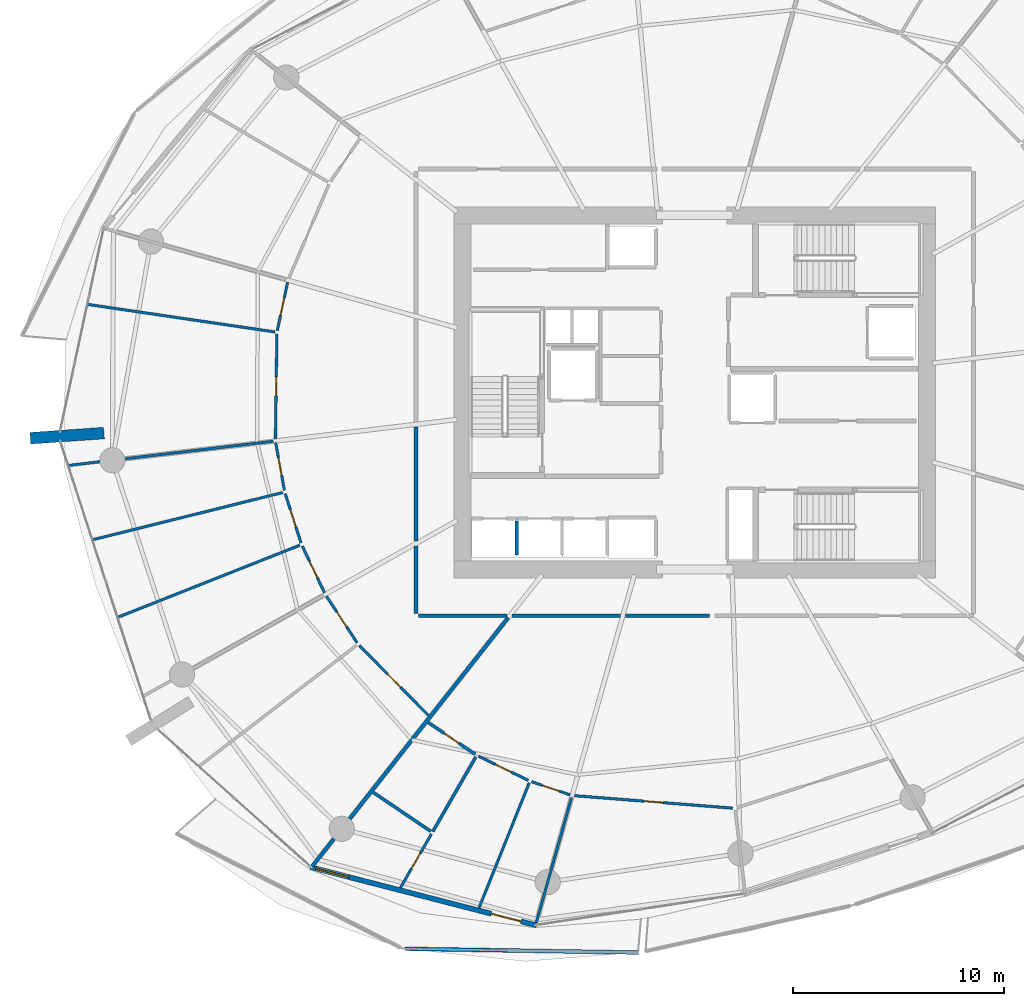
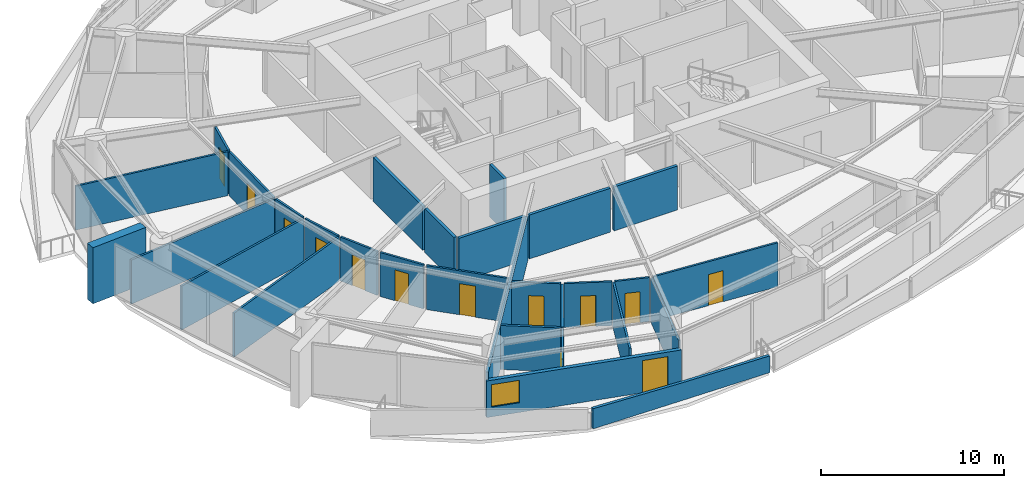
# One storey, part 11 of 22: 30 walls, 13 doors, 1 window, 14 openings.
"""IFC4 building model written with IfcOpenShell, lengths in metres."""

from ifc_helpers import new_model, si_unit, direction, frame, frame_2d, origin, place, context, subcontext, project, spatial, polyline, rectangle, outline, extrude, material, layer, layer_set, type_object, element, fill, save


model = new_model("IFC4")

# Units and contexts
model_context = context("Model", 3, precision=1e-05, world=origin(), true_north=direction((0.0, 1.0)))
body_context = subcontext(model_context, "Body", "Model", "MODEL_VIEW")
ifc_project = project(units=[si_unit("LENGTHUNIT", "METRE"), si_unit("AREAUNIT", "SQUARE_METRE"), si_unit("VOLUMEUNIT", "CUBIC_METRE"), si_unit("PLANEANGLEUNIT", "RADIAN"), si_unit("MASSUNIT", "GRAM", prefix="KILO")], contexts=[model_context])

# Site, building, storey
site_placement = place(None, origin())
site = spatial("IfcSite", under=ifc_project, at=site_placement, CompositionType="ELEMENT")
building_placement = place(site_placement, origin())
building = spatial("IfcBuilding", under=site, at=building_placement, Name="Kazma Halo Residences", CompositionType="ELEMENT")
storey_placement = place(building_placement, frame((0.0, 0.0, 93.89990234375)))
storey = spatial("IfcBuildingStorey", under=building, at=storey_placement, Name="L23", CompositionType="ELEMENT", Elevation=93.89990234375)

# Walls
ifc_material_1 = material(Name="White Concrete C50/60 Balustrade", Category="concrete")
ifc_layer_1 = layer(ifc_material_1, 0.179931640625)
ifc_layer_set_1 = layer_set([ifc_layer_1], Name="White Concrete C50/60 Balustrade")
wall_type_1 = type_object("IfcWallType", Name="WL-BAL-WAVE-180", PredefinedType="PARAPET", material=ifc_layer_set_1)
wall_1_placement = place(storey_placement, frame((34.671142578125, 15.60302734375, 0.0), z_axis=(0.0, 0.0, 1.0), x_axis=(0.999868376908, -0.016224329234, 0.0)))
element("IfcWall", 1, at=wall_1_placement, inside=storey, type_object=wall_type_1, Name="L23 white wave balustrade wall SW.2", PredefinedType="PARAPET", context=body_context, shape_type="SweptSolid", body=[
    extrude(outline(polyline([(0.0, 0.0), (11.0751953125, 0.0), (11.0751953125, 1.1201171875), (5.53759765625, 1.18212890625), (0.0, 1.34814453125), (0.0, 0.0)])), frame((0.0, 0.08984375, 0.0), z_axis=(0.0, -1.0, 0.0), x_axis=(1.0, 0.0, 0.0)), (0.0, 0.0, 1.0), 0.179931640625),
])
ifc_material_2 = material(Name="Pale Concrete C60/75", Category="concrete")
ifc_layer_2 = layer(ifc_material_2, 0.550048828125)
ifc_layer_set_2 = layer_set([ifc_layer_2], Name="Pale Concrete C60/75")
wall_type_2 = type_object("IfcWallType", Name="WL-BLADE-550", PredefinedType="SOLIDWALL", material=ifc_layer_set_2)
wall_2_placement = place(storey_placement, frame((20.393798828125, 40.069580078125, 0.0), z_axis=(0.0, 0.0, 1.0), x_axis=(-0.997564163539, -0.069754853754, 0.0)))
element("IfcWall", 2, at=wall_2_placement, inside=storey, type_object=wall_type_2, Name="L23 pale concrete structural blade fin wall BW-02", PredefinedType="SOLIDWALL", context=body_context, shape_type="SweptSolid", body=[
    extrude(rectangle(XDim=3.5, YDim=0.550048828125, at=frame_2d((1.75, 0.0))), origin(), (0.0, 0.0, 1.0), 3.75),
])
ifc_material_3 = material(Name="Acoustic Twin-Stud Gypsum")
ifc_layer_3 = layer(ifc_material_3, 0.179931640625)
ifc_layer_set_3 = layer_set([ifc_layer_3], Name="Acoustic Twin-Stud Gypsum")
wall_type_3 = type_object("IfcWallType", Name="WL-DEM-180", PredefinedType="PARTITIONING", material=ifc_layer_set_3)
wall_3_placement = place(storey_placement, frame((39.575439453125, 31.313720703125, 0.0), z_axis=(0.0, 0.0, 1.0), x_axis=(-0.619083417853, -0.785325233098, 0.0)))
element("IfcWall", 3, at=wall_3_placement, inside=storey, type_object=wall_type_3, Name="L23 apartment demising radial wall 09", PredefinedType="PARTITIONING", context=body_context, shape_type="SweptSolid", body=[
    extrude(rectangle(XDim=15.063232421875, YDim=0.179931640625, at=frame_2d((7.53173828125, 0.0))), origin(), (0.0, 0.0, 1.0), 2.940185546875),
])
wall_4_placement = place(storey_placement, frame((35.199951171875, 40.364990234375, 0.0), z_axis=(0.0, 0.0, 1.0), x_axis=(0.0, -1.0, 0.0)))
element("IfcWall", 4, at=wall_4_placement, inside=storey, type_object=wall_type_3, Name="L23 Apartment 1 inner wall 7", PredefinedType="PARTITIONING", context=body_context, shape_type="SweptSolid", body=[
    extrude(rectangle(XDim=5.413330078125, YDim=0.179931640625, at=frame_2d((2.70654296875, 0.0))), origin(), (0.0, 0.0, 1.0), 2.940185546875),
])
wall_5_placement = place(storey_placement, frame((35.199951171875, 34.711669921875, 0.0), z_axis=(0.0, 0.0, 1.0), x_axis=(0.0, -1.0, 0.0)))
element("IfcWall", 5, at=wall_5_placement, inside=storey, type_object=wall_type_3, Name="L23 Apartment 1 inner wall 8", PredefinedType="PARTITIONING", context=body_context, shape_type="SweptSolid", body=[
    extrude(rectangle(XDim=3.191650390625, YDim=0.179931640625, at=frame_2d((1.595703125, 0.0))), origin(), (0.0, 0.0, 1.0), 2.940185546875),
])
wall_6_placement = place(storey_placement, frame((35.320068359375, 31.39990234375, 0.0), z_axis=(0.0, 0.0, 1.0), x_axis=(1.0, 0.0, 0.0)))
element("IfcWall", 6, at=wall_6_placement, inside=storey, type_object=wall_type_3, Name="L23 Apartment 1 inner wall 8", PredefinedType="PARTITIONING", context=body_context, shape_type="SweptSolid", body=[
    extrude(rectangle(XDim=4.20361328125, YDim=0.179931640625, at=frame_2d((2.101806640625, 0.0))), origin(), (0.0, 0.0, 1.0), 2.940185546875),
])
wall_7_placement = place(storey_placement, frame((39.763671875, 31.39990234375, 0.0), z_axis=(0.0, 0.0, 1.0), x_axis=(1.0, 0.0, 0.0)))
element("IfcWall", 7, at=wall_7_placement, inside=storey, type_object=wall_type_3, Name="L23 Apartment 2 inner wall 9", PredefinedType="PARTITIONING", context=body_context, shape_type="SweptSolid", body=[
    extrude(rectangle(XDim=5.126708984375, YDim=0.179931640625, at=frame_2d((2.5634765625, 0.0))), origin(), (0.0, 0.0, 1.0), 2.940185546875),
])
wall_8_placement = place(storey_placement, frame((45.130615234375, 31.39990234375, 0.0), z_axis=(0.0, 0.0, 1.0), x_axis=(1.0, 0.0, 0.0)))
element("IfcWall", 8, at=wall_8_placement, inside=storey, type_object=wall_type_3, Name="L23 Apartment 2 inner wall 10", PredefinedType="PARTITIONING", context=body_context, shape_type="SweptSolid", body=[
    extrude(rectangle(XDim=4.00390625, YDim=0.179931640625, at=frame_2d((2.001953125, 0.0))), origin(), (0.0, 0.0, 1.0), 2.940185546875),
])

# Wall, openings, door, window
ifc_material_4 = material(Name="Insulated Pale-Metal Composite Wall")
ifc_layer_4 = layer(ifc_material_4, 0.239990234375)
ifc_layer_set_4 = layer_set([ifc_layer_4], Name="Insulated Pale-Metal Composite Wall")
wall_type_4 = type_object("IfcWallType", Name="WL-EXT-HOST-240", PredefinedType="SOLIDWALL", material=ifc_layer_set_4)
wall_9_placement = place(storey_placement, frame((30.18603515625, 19.47705078125, 0.0), z_axis=(0.0, 0.0, 1.0), x_axis=(0.968356180858, -0.249572248045, 0.0)))
wall_9 = element("IfcWall", 9, at=wall_9_placement, inside=storey, type_object=wall_type_4, Name="L23 exterior terrace-access wall B10", PredefinedType="SOLIDWALL", context=body_context, shape_type="SweptSolid", body=[
    extrude(rectangle(XDim=11.08447265625, YDim=0.239990234375, at=frame_2d((5.542236328125, 0.0))), origin(), (0.0, 0.0, 1.0), 2.4501953125),
])
opening_1_placement = place(wall_9_placement, frame((8.864501953125, 0.0, 0.0)))
opening_1 = element("IfcOpeningElement", 10, at=opening_1_placement, cuts=wall_9, Name="Opening DTR-1600", PredefinedType="OPENING", context=body_context, shape_type="SweptSolid", body=[
    extrude(rectangle(XDim=1.449951171875, YDim=2.14990234375, at=frame_2d((0.72509765625, 1.074951171875))), frame((0.0, 0.1298828125, 0.0), z_axis=(0.0, -1.0, 0.0), x_axis=(1.0, 0.0, 0.0)), (0.0, 0.0, 1.0), 0.260009765625),
])
opening_2_placement = place(wall_9_placement, frame((0.280029296875, 0.0, 0.64990234375)))
opening_2 = element("IfcOpeningElement", 11, at=opening_2_placement, cuts=wall_9, Name="Opening W-1800", PredefinedType="OPENING", context=body_context, shape_type="SweptSolid", body=[
    extrude(rectangle(XDim=1.60009765625, YDim=1.5, at=frame_2d((0.800048828125, 0.75))), frame((0.0, 0.1298828125, 0.0), z_axis=(0.0, -1.0, 0.0), x_axis=(1.0, 0.0, 0.0)), (0.0, 0.0, 1.0), 0.260009765625),
])
ifc_material_5 = material(Name="Aluminium AW-6063 T6 Double-Glazed Terrace Door", Category="aluminium")
door_type_1 = type_object("IfcDoorType", Name="DR-EXT-TERR-1600", OperationType="NOTDEFINED", PredefinedType="DOOR", material=ifc_material_5)
door_1_placement = place(opening_1_placement, origin())
door_1 = element("IfcDoor", 12, at=door_1_placement, inside=storey, type_object=door_type_1, Name="L23 B10 balcony terrace door", OperationType="DOUBLE_DOOR_SLIDING", OverallHeight=2.14990234375, OverallWidth=1.449951171875, PredefinedType="DOOR", context=body_context, shape_type="SweptSolid", body=[
    extrude(rectangle(XDim=1.449951171875, YDim=2.14990234375, at=frame_2d((0.72509765625, 1.074951171875))), frame((0.0, 0.02490234375, 0.0), z_axis=(0.0, -1.0, 0.0), x_axis=(1.0, 0.0, 0.0)), (0.0, 0.0, 1.0), 0.050048828125),
])
fill(opening_1, door_1)
ifc_material_6 = material(Name="Clear Triple-Silver Low-E Glass in Aluminium AW-6063 T6 Frame", Category="aluminium")
window_type = type_object("IfcWindowType", Name="WIN-RES-1800", PartitioningType="DOUBLE_PANEL_VERTICAL", PredefinedType="WINDOW", material=ifc_material_6)
window_placement = place(opening_2_placement, origin())
window = element("IfcWindow", 13, at=window_placement, inside=storey, type_object=window_type, Name="L23 B10 apartment window", OverallHeight=1.5, OverallWidth=1.60009765625, PartitioningType="SINGLE_PANEL", PredefinedType="WINDOW", context=body_context, shape_type="SweptSolid", body=[
    extrude(rectangle(XDim=1.60009765625, YDim=1.5, at=frame_2d((0.800048828125, 0.75))), frame((0.0, 0.030029296875, 0.0), z_axis=(0.0, -1.0, 0.0), x_axis=(1.0, 0.0, 0.0)), (0.0, 0.0, 1.0), 0.06005859375),
])
fill(opening_2, window)

# Walls
ifc_material_7 = material(Name="Fire-Rated Blockwork Masonry", Category="masonry")
ifc_layer_5 = layer(ifc_material_7, 0.199951171875)
ifc_layer_set_5 = layer_set([ifc_layer_5], Name="Fire-Rated Blockwork Masonry")
wall_type_5 = type_object("IfcWallType", Name="WL-FLB-200", PredefinedType="PARTITIONING", material=ifc_layer_set_5)
wall_10_placement = place(storey_placement, frame((39.97509765625, 34.294921875, 0.0), z_axis=(0.0, 0.0, 1.0), x_axis=(0.0, 1.0, 0.0)))
element("IfcWall", 14, at=wall_10_placement, inside=storey, type_object=wall_type_5, Name="L23 lift shaft PL-01 side wall E", PredefinedType="PARTITIONING", context=body_context, shape_type="SweptSolid", body=[
    extrude(rectangle(XDim=1.610107421875, YDim=0.159912109375, at=frame_2d((0.80517578125, 0.0))), origin(), (0.0, 0.0, 1.0), 3.5),
])
ifc_material_8 = material(Name="Gypsum Plasterboard Partition")
ifc_layer_6 = layer(ifc_material_8, 0.125)
ifc_layer_set_6 = layer_set([ifc_layer_6], Name="Gypsum Plasterboard Partition")
wall_type_6 = type_object("IfcWallType", Name="WL-PART-125", PredefinedType="PARTITIONING", material=ifc_layer_set_6)
wall_11_placement = place(storey_placement, frame((28.510986328125, 44.867431640625, 0.0), z_axis=(0.0, 0.0, 1.0), x_axis=(-0.989349459184, 0.145559773332, 0.0)))
element("IfcWall", 15, at=wall_11_placement, inside=storey, type_object=wall_type_6, Name="L23 Apartment 1 mid-bay wall 6", PredefinedType="PARTITIONING", context=body_context, shape_type="SweptSolid", body=[
    extrude(rectangle(XDim=8.97509765625, YDim=0.125, at=frame_2d((4.487548828125, 0.0))), origin(), (0.0, 0.0, 1.0), 2.940185546875),
])

# Wall, opening, door
wall_12_placement = place(storey_placement, frame((29.106201171875, 47.224853515625, 0.0), z_axis=(0.0, 0.0, 1.0), x_axis=(-0.208839045871, -0.977950025778, 0.0)))
wall_12 = element("IfcWall", 16, at=wall_12_placement, inside=storey, type_object=wall_type_6, Name="L23 Apartment 1 South Wine Pantry Store hall wall", PredefinedType="PARTITIONING", context=body_context, shape_type="SweptSolid", body=[
    extrude(rectangle(XDim=2.343994140625, YDim=0.125, at=frame_2d((1.171875, 0.0))), origin(), (0.0, 0.0, 1.0), 2.940185546875),
])
opening_3_placement = place(wall_12_placement, frame((0.7470703125, 0.0, 0.0)))
opening_3 = element("IfcOpeningElement", 17, at=opening_3_placement, cuts=wall_12, Name="Opening DB-900", PredefinedType="OPENING", context=body_context, shape_type="SweptSolid", body=[
    extrude(rectangle(XDim=0.85009765625, YDim=2.06005859375, at=frame_2d((0.425048828125, 1.030029296875))), frame((0.0, 0.072509765625, 0.0), z_axis=(0.0, -1.0, 0.0), x_axis=(1.0, 0.0, 0.0)), (0.0, 0.0, 1.0), 0.14501953125),
])
ifc_material_9 = material(Name="Moisture-Sealed Timber Leaf", Category="wood")
door_type_2 = type_object("IfcDoorType", Name="DR-BTH-900", OperationType="NOTDEFINED", PredefinedType="DOOR", material=ifc_material_9)
door_2_placement = place(opening_3_placement, origin())
door_2 = element("IfcDoor", 18, at=door_2_placement, inside=storey, type_object=door_type_2, Name="L23 Apartment 1 South Wine Pantry Store door", OperationType="SINGLE_SWING_RIGHT", OverallHeight=2.06005859375, OverallWidth=0.85009765625, PredefinedType="DOOR", context=body_context, shape_type="SweptSolid", body=[
    extrude(rectangle(XDim=0.85009765625, YDim=2.06005859375, at=frame_2d((0.425048828125, 1.030029296875))), frame((0.0, 0.02490234375, 0.0), z_axis=(0.0, -1.0, 0.0), x_axis=(1.0, 0.0, 0.0)), (0.0, 0.0, 1.0), 0.050048828125),
])
fill(opening_3, door_2)

wall_13_placement = place(storey_placement, frame((28.598876953125, 44.7744140625, 0.0), z_axis=(0.0, 0.0, 1.0), x_axis=(-0.014168717323, -0.999899618687, 0.0)))
wall_13 = element("IfcWall", 19, at=wall_13_placement, inside=storey, type_object=wall_type_6, Name="L23 Apartment 1 Inner Formal Dining Room hall wall", PredefinedType="PARTITIONING", context=body_context, shape_type="SweptSolid", body=[
    extrude(rectangle(XDim=4.979736328125, YDim=0.125, at=frame_2d((2.48974609375, 0.0))), origin(), (0.0, 0.0, 1.0), 2.940185546875),
])
opening_4_placement = place(wall_13_placement, frame((2.039794921875, 0.0, 0.0)))
opening_4 = element("IfcOpeningElement", 20, at=opening_4_placement, cuts=wall_13, Name="Opening DI-950", PredefinedType="OPENING", context=body_context, shape_type="SweptSolid", body=[
    extrude(rectangle(XDim=0.89990234375, YDim=2.080078125, at=frame_2d((0.449951171875, 1.0400390625))), frame((0.0, 0.072509765625, 0.0), z_axis=(0.0, -1.0, 0.0), x_axis=(1.0, 0.0, 0.0)), (0.0, 0.0, 1.0), 0.14501953125),
])
ifc_material_10 = material(Name="Timber Veneer Flush Leaf", Category="wood")
door_type_3 = type_object("IfcDoorType", Name="DR-INT-950", OperationType="NOTDEFINED", PredefinedType="DOOR", material=ifc_material_10)
door_3_placement = place(opening_4_placement, origin())
door_3 = element("IfcDoor", 21, at=door_3_placement, inside=storey, type_object=door_type_3, Name="L23 Apartment 1 Inner Formal Dining Room door", OperationType="SINGLE_SWING_LEFT", OverallHeight=2.080078125, OverallWidth=0.89990234375, PredefinedType="DOOR", context=body_context, shape_type="SweptSolid", body=[
    extrude(rectangle(XDim=0.89990234375, YDim=2.080078125, at=frame_2d((0.449951171875, 1.0400390625))), frame((0.0, 0.02490234375, 0.0), z_axis=(0.0, -1.0, 0.0), x_axis=(1.0, 0.0, 0.0)), (0.0, 0.0, 1.0), 0.050048828125),
])
fill(opening_4, door_3)

# Walls
wall_14_placement = place(storey_placement, frame((28.427490234375, 39.683349609375, 0.0), z_axis=(0.0, 0.0, 1.0), x_axis=(-0.993070374036, -0.117521198991, 0.0)))
element("IfcWall", 22, at=wall_14_placement, inside=storey, type_object=wall_type_6, Name="L23 Apartment 1 radial partition 7", PredefinedType="PARTITIONING", context=body_context, shape_type="SweptSolid", body=[
    extrude(rectangle(XDim=9.77001953125, YDim=0.125, at=frame_2d((4.885009765625, 0.0))), origin(), (0.0, 0.0, 1.0), 2.940185546875),
])
wall_15_placement = place(storey_placement, frame((28.882080078125, 37.251220703125, 0.0), z_axis=(0.0, 0.0, 1.0), x_axis=(-0.970501778917, -0.241093959111, 0.0)))
element("IfcWall", 23, at=wall_15_placement, inside=storey, type_object=wall_type_6, Name="L23 Apartment 1 bay wall 1 7", PredefinedType="PARTITIONING", context=body_context, shape_type="SweptSolid", body=[
    extrude(rectangle(XDim=9.285888671875, YDim=0.125, at=frame_2d((4.64306640625, 0.0))), origin(), (0.0, 0.0, 1.0), 2.940185546875),
])
wall_16_placement = place(storey_placement, frame((29.684326171875, 34.748291015625, 0.0), z_axis=(0.0, 0.0, 1.0), x_axis=(-0.929782203012, -0.36811011255, 0.0)))
element("IfcWall", 24, at=wall_16_placement, inside=storey, type_object=wall_type_6, Name="L23 Apartment 1 bay wall 2 7", PredefinedType="PARTITIONING", context=body_context, shape_type="SweptSolid", body=[
    extrude(rectangle(XDim=9.2705078125, YDim=0.125, at=frame_2d((4.63525390625, 0.0))), origin(), (0.0, 0.0, 1.0), 2.940185546875),
])

# Wall, opening, door
wall_17_placement = place(storey_placement, frame((28.541259765625, 39.616455078125, 0.0), z_axis=(0.0, 0.0, 1.0), x_axis=(0.179631908925, -0.983733895571, 0.0)))
wall_17 = element("IfcWall", 25, at=wall_17_placement, inside=storey, type_object=wall_type_6, Name="L23 Apartment 1 Outer Bedroom hall wall", PredefinedType="PARTITIONING", context=body_context, shape_type="SweptSolid", body=[
    extrude(rectangle(XDim=2.30224609375, YDim=0.125, at=frame_2d((1.151123046875, 0.0))), origin(), (0.0, 0.0, 1.0), 2.940185546875),
])
opening_5_placement = place(wall_17_placement, frame((0.726318359375, 0.0, 0.0)))
opening_5 = element("IfcOpeningElement", 26, at=opening_5_placement, cuts=wall_17, Name="Opening DB-900", PredefinedType="OPENING", context=body_context, shape_type="SweptSolid", body=[
    extrude(rectangle(XDim=0.85009765625, YDim=2.06005859375, at=frame_2d((0.425048828125, 1.030029296875))), frame((0.0, 0.072509765625, 0.0), z_axis=(0.0, -1.0, 0.0), x_axis=(1.0, 0.0, 0.0)), (0.0, 0.0, 1.0), 0.14501953125),
])
door_4_placement = place(opening_5_placement, origin())
door_4 = element("IfcDoor", 27, at=door_4_placement, inside=storey, type_object=door_type_2, Name="L23 Apartment 1 Outer Bedroom door", OperationType="SINGLE_SWING_RIGHT", OverallHeight=2.06005859375, OverallWidth=0.85009765625, PredefinedType="DOOR", context=body_context, shape_type="SweptSolid", body=[
    extrude(rectangle(XDim=0.85009765625, YDim=2.06005859375, at=frame_2d((0.425048828125, 1.030029296875))), frame((0.0, 0.02490234375, 0.0), z_axis=(0.0, -1.0, 0.0), x_axis=(1.0, 0.0, 0.0)), (0.0, 0.0, 1.0), 0.050048828125),
])
fill(opening_5, door_4)

wall_18_placement = place(storey_placement, frame((28.99365234375, 37.196533203125, 0.0), z_axis=(0.0, 0.0, 1.0), x_axis=(0.305352731689, -0.952239313014, 0.0)))
wall_18 = element("IfcWall", 28, at=wall_18_placement, inside=storey, type_object=wall_type_6, Name="L23 Apartment 1 Corner Dressing Wardrobe hall wall", PredefinedType="PARTITIONING", context=body_context, shape_type="SweptSolid", body=[
    extrude(rectangle(XDim=2.4560546875, YDim=0.125, at=frame_2d((1.22802734375, 0.0))), origin(), (0.0, 0.0, 1.0), 2.940185546875),
])
opening_6_placement = place(wall_18_placement, frame((0.802978515625, 0.0, 0.0)))
opening_6 = element("IfcOpeningElement", 29, at=opening_6_placement, cuts=wall_18, Name="Opening DB-900", PredefinedType="OPENING", context=body_context, shape_type="SweptSolid", body=[
    extrude(rectangle(XDim=0.85009765625, YDim=2.06005859375, at=frame_2d((0.425048828125, 1.030029296875))), frame((0.0, 0.072509765625, 0.0), z_axis=(0.0, -1.0, 0.0), x_axis=(1.0, 0.0, 0.0)), (0.0, 0.0, 1.0), 0.14501953125),
])
door_5_placement = place(opening_6_placement, origin())
door_5 = element("IfcDoor", 30, at=door_5_placement, inside=storey, type_object=door_type_2, Name="L23 Apartment 1 Corner Dressing Wardrobe door", OperationType="SINGLE_SWING_LEFT", OverallHeight=2.06005859375, OverallWidth=0.85009765625, PredefinedType="DOOR", context=body_context, shape_type="SweptSolid", body=[
    extrude(rectangle(XDim=0.85009765625, YDim=2.06005859375, at=frame_2d((0.425048828125, 1.030029296875))), frame((0.0, 0.02490234375, 0.0), z_axis=(0.0, -1.0, 0.0), x_axis=(1.0, 0.0, 0.0)), (0.0, 0.0, 1.0), 0.050048828125),
])
fill(opening_6, door_5)

wall_19_placement = place(storey_placement, frame((29.80224609375, 34.708984375, 0.0), z_axis=(0.0, 0.0, 1.0), x_axis=(0.429431892781, -0.90309924674, 0.0)))
wall_19 = element("IfcWall", 31, at=wall_19_placement, inside=storey, type_object=wall_type_6, Name="L23 Apartment 1 Garden Bedroom hall wall", PredefinedType="PARTITIONING", context=body_context, shape_type="SweptSolid", body=[
    extrude(rectangle(XDim=2.4560546875, YDim=0.125, at=frame_2d((1.22802734375, 0.0))), origin(), (0.0, 0.0, 1.0), 2.940185546875),
])
opening_7_placement = place(wall_19_placement, frame((0.802978515625, 0.0, 0.0)))
opening_7 = element("IfcOpeningElement", 32, at=opening_7_placement, cuts=wall_19, Name="Opening DB-900", PredefinedType="OPENING", context=body_context, shape_type="SweptSolid", body=[
    extrude(rectangle(XDim=0.85009765625, YDim=2.06005859375, at=frame_2d((0.425048828125, 1.030029296875))), frame((0.0, 0.072509765625, 0.0), z_axis=(0.0, -1.0, 0.0), x_axis=(1.0, 0.0, 0.0)), (0.0, 0.0, 1.0), 0.14501953125),
])
door_6_placement = place(opening_7_placement, origin())
door_6 = element("IfcDoor", 33, at=door_6_placement, inside=storey, type_object=door_type_2, Name="L23 Apartment 1 Garden Bedroom door", OperationType="SINGLE_SWING_RIGHT", OverallHeight=2.06005859375, OverallWidth=0.85009765625, PredefinedType="DOOR", context=body_context, shape_type="SweptSolid", body=[
    extrude(rectangle(XDim=0.85009765625, YDim=2.06005859375, at=frame_2d((0.425048828125, 1.030029296875))), frame((0.0, 0.02490234375, 0.0), z_axis=(0.0, -1.0, 0.0), x_axis=(1.0, 0.0, 0.0)), (0.0, 0.0, 1.0), 0.050048828125),
])
fill(opening_7, door_6)

wall_20_placement = place(storey_placement, frame((30.9462890625, 32.335205078125, 0.0), z_axis=(0.0, 0.0, 1.0), x_axis=(0.55037901545, -0.83491492941, 0.0)))
wall_20 = element("IfcWall", 34, at=wall_20_placement, inside=storey, type_object=wall_type_6, Name="L23 Apartment 1 Sky Wine Pantry Store hall wall", PredefinedType="PARTITIONING", context=body_context, shape_type="SweptSolid", body=[
    extrude(rectangle(XDim=2.6513671875, YDim=0.125, at=frame_2d((1.32568359375, 0.0))), origin(), (0.0, 0.0, 1.0), 2.940185546875),
])
opening_8_placement = place(wall_20_placement, frame((0.900634765625, 0.0, 0.0)))
opening_8 = element("IfcOpeningElement", 35, at=opening_8_placement, cuts=wall_20, Name="Opening DB-900", PredefinedType="OPENING", context=body_context, shape_type="SweptSolid", body=[
    extrude(rectangle(XDim=0.85009765625, YDim=2.06005859375, at=frame_2d((0.425048828125, 1.030029296875))), frame((0.0, 0.072509765625, 0.0), z_axis=(0.0, -1.0, 0.0), x_axis=(1.0, 0.0, 0.0)), (0.0, 0.0, 1.0), 0.14501953125),
])
door_7_placement = place(opening_8_placement, origin())
door_7 = element("IfcDoor", 36, at=door_7_placement, inside=storey, type_object=door_type_2, Name="L23 Apartment 1 Sky Wine Pantry Store door", OperationType="SINGLE_SWING_RIGHT", OverallHeight=2.06005859375, OverallWidth=0.85009765625, PredefinedType="DOOR", context=body_context, shape_type="SweptSolid", body=[
    extrude(rectangle(XDim=0.85009765625, YDim=2.06005859375, at=frame_2d((0.425048828125, 1.030029296875))), frame((0.0, 0.02490234375, 0.0), z_axis=(0.0, -1.0, 0.0), x_axis=(1.0, 0.0, 0.0)), (0.0, 0.0, 1.0), 0.050048828125),
])
fill(opening_8, door_7)

wall_21_placement = place(storey_placement, frame((32.505615234375, 29.997802734375, 0.0), z_axis=(0.0, 0.0, 1.0), x_axis=(0.702626830151, -0.711558527144, 0.0)))
wall_21 = element("IfcWall", 37, at=wall_21_placement, inside=storey, type_object=wall_type_6, Name="L23 Apartment 1 Gulf Formal Dining Room hall wall", PredefinedType="PARTITIONING", context=body_context, shape_type="SweptSolid", body=[
    extrude(rectangle(XDim=4.674072265625, YDim=0.125, at=frame_2d((2.3369140625, 0.0))), origin(), (0.0, 0.0, 1.0), 2.940185546875),
])
opening_9_placement = place(wall_21_placement, frame((1.88720703125, 0.0, 0.0)))
opening_9 = element("IfcOpeningElement", 38, at=opening_9_placement, cuts=wall_21, Name="Opening DI-950", PredefinedType="OPENING", context=body_context, shape_type="SweptSolid", body=[
    extrude(rectangle(XDim=0.89990234375, YDim=2.080078125, at=frame_2d((0.449951171875, 1.0400390625))), frame((0.0, 0.072509765625, 0.0), z_axis=(0.0, -1.0, 0.0), x_axis=(1.0, 0.0, 0.0)), (0.0, 0.0, 1.0), 0.14501953125),
])
door_8_placement = place(opening_9_placement, origin())
door_8 = element("IfcDoor", 39, at=door_8_placement, inside=storey, type_object=door_type_3, Name="L23 Apartment 1 Gulf Formal Dining Room door", OperationType="SINGLE_SWING_LEFT", OverallHeight=2.080078125, OverallWidth=0.89990234375, PredefinedType="DOOR", context=body_context, shape_type="SweptSolid", body=[
    extrude(rectangle(XDim=0.89990234375, YDim=2.080078125, at=frame_2d((0.449951171875, 1.0400390625))), frame((0.0, 0.02490234375, 0.0), z_axis=(0.0, -1.0, 0.0), x_axis=(1.0, 0.0, 0.0)), (0.0, 0.0, 1.0), 0.050048828125),
])
fill(opening_9, door_8)

wall_22_placement = place(storey_placement, frame((35.92822265625, 21.046630859375, 0.0), z_axis=(0.0, 0.0, 1.0), x_axis=(-0.499221481069, -0.866474415571, 0.0)))
wall_22 = element("IfcWall", 40, at=wall_22_placement, inside=storey, type_object=wall_type_6, Name="L23 Apartment 2 Household Store Room partition wall", PredefinedType="PARTITIONING", context=body_context, shape_type="SweptSolid", body=[
    extrude(rectangle(XDim=2.939697265625, YDim=0.125, at=frame_2d((1.4697265625, 0.0))), origin(), (0.0, 0.0, 1.0), 2.940185546875),
])
opening_10_placement = place(wall_22_placement, frame((1.044921875, 0.0, 0.0)))
opening_10 = element("IfcOpeningElement", 41, at=opening_10_placement, cuts=wall_22, Name="Opening DB-900", PredefinedType="OPENING", context=body_context, shape_type="SweptSolid", body=[
    extrude(rectangle(XDim=0.85009765625, YDim=2.06005859375, at=frame_2d((0.425048828125, 1.030029296875))), frame((0.0, 0.072509765625, 0.0), z_axis=(0.0, -1.0, 0.0), x_axis=(1.0, 0.0, 0.0)), (0.0, 0.0, 1.0), 0.14501953125),
])
door_9_placement = place(opening_10_placement, origin())
door_9 = element("IfcDoor", 42, at=door_9_placement, inside=storey, type_object=door_type_2, Name="L23 Apartment 2 Household Store Room door", OperationType="SINGLE_SWING_RIGHT", OverallHeight=2.06005859375, OverallWidth=0.85009765625, PredefinedType="DOOR", context=body_context, shape_type="SweptSolid", body=[
    extrude(rectangle(XDim=0.85009765625, YDim=2.06005859375, at=frame_2d((0.425048828125, 1.030029296875))), frame((0.0, 0.02490234375, 0.0), z_axis=(0.0, -1.0, 0.0), x_axis=(1.0, 0.0, 0.0)), (0.0, 0.0, 1.0), 0.050048828125),
])
fill(opening_10, door_9)

# Wall
wall_23_placement = place(storey_placement, frame((40.569091796875, 23.47265625, 0.0), z_axis=(0.0, 0.0, 1.0), x_axis=(-0.372286385433, -0.928117905883, 0.0)))
element("IfcWall", 43, at=wall_23_placement, inside=storey, type_object=wall_type_6, Name="L23 Apartment 2 suite divider 9", PredefinedType="PARTITIONING", context=body_context, shape_type="SweptSolid", body=[
    extrude(rectangle(XDim=6.389892578125, YDim=0.125, at=frame_2d((3.19482421875, 0.0))), origin(), (0.0, 0.0, 1.0), 2.940185546875),
])

# Wall, opening, door
wall_24_placement = place(storey_placement, frame((38.160888671875, 24.741943359375, 0.0), z_axis=(0.0, 0.0, 1.0), x_axis=(0.899520645698, -0.436878253021, 0.0)))
wall_24 = element("IfcWall", 44, at=wall_24_placement, inside=storey, type_object=wall_type_6, Name="L23 Apartment 2 Gourmet Kitchen hall wall", PredefinedType="PARTITIONING", context=body_context, shape_type="SweptSolid", body=[
    extrude(rectangle(XDim=2.63427734375, YDim=0.125, at=frame_2d((1.317138671875, 0.0))), origin(), (0.0, 0.0, 1.0), 2.940185546875),
])
opening_11_placement = place(wall_24_placement, frame((0.89208984375, 0.0, 0.0)))
opening_11 = element("IfcOpeningElement", 45, at=opening_11_placement, cuts=wall_24, Name="Opening DB-900", PredefinedType="OPENING", context=body_context, shape_type="SweptSolid", body=[
    extrude(rectangle(XDim=0.85009765625, YDim=2.06005859375, at=frame_2d((0.425048828125, 1.030029296875))), frame((0.0, 0.072509765625, 0.0), z_axis=(0.0, -1.0, 0.0), x_axis=(1.0, 0.0, 0.0)), (0.0, 0.0, 1.0), 0.14501953125),
])
door_10_placement = place(opening_11_placement, origin())
door_10 = element("IfcDoor", 46, at=door_10_placement, inside=storey, type_object=door_type_2, Name="L23 Apartment 2 Gourmet Kitchen door", OperationType="SINGLE_SWING_LEFT", OverallHeight=2.06005859375, OverallWidth=0.85009765625, PredefinedType="DOOR", context=body_context, shape_type="SweptSolid", body=[
    extrude(rectangle(XDim=0.85009765625, YDim=2.06005859375, at=frame_2d((0.425048828125, 1.030029296875))), frame((0.0, 0.02490234375, 0.0), z_axis=(0.0, -1.0, 0.0), x_axis=(1.0, 0.0, 0.0)), (0.0, 0.0, 1.0), 0.050048828125),
])
fill(opening_11, door_10)

wall_25_placement = place(storey_placement, frame((40.67822265625, 23.530517578125, 0.0), z_axis=(0.0, 0.0, 1.0), x_axis=(0.946608161304, -0.322386396971, 0.0)))
wall_25 = element("IfcWall", 47, at=wall_25_placement, inside=storey, type_object=wall_type_6, Name="L23 Apartment 2 Primary Bedroom hall wall", PredefinedType="PARTITIONING", context=body_context, shape_type="SweptSolid", body=[
    extrude(rectangle(XDim=1.936279296875, YDim=0.125, at=frame_2d((0.96826171875, 0.0))), origin(), (0.0, 0.0, 1.0), 2.940185546875),
])
opening_12_placement = place(wall_25_placement, frame((0.543212890625, 0.0, 0.0)))
opening_12 = element("IfcOpeningElement", 48, at=opening_12_placement, cuts=wall_25, Name="Opening DB-900", PredefinedType="OPENING", context=body_context, shape_type="SweptSolid", body=[
    extrude(rectangle(XDim=0.85009765625, YDim=2.06005859375, at=frame_2d((0.425048828125, 1.030029296875))), frame((0.0, 0.072509765625, 0.0), z_axis=(0.0, -1.0, 0.0), x_axis=(1.0, 0.0, 0.0)), (0.0, 0.0, 1.0), 0.14501953125),
])
door_11_placement = place(opening_12_placement, origin())
door_11 = element("IfcDoor", 49, at=door_11_placement, inside=storey, type_object=door_type_2, Name="L23 Apartment 2 Primary Bedroom door", OperationType="SINGLE_SWING_RIGHT", OverallHeight=2.06005859375, OverallWidth=0.85009765625, PredefinedType="DOOR", context=body_context, shape_type="SweptSolid", body=[
    extrude(rectangle(XDim=0.85009765625, YDim=2.06005859375, at=frame_2d((0.425048828125, 1.030029296875))), frame((0.0, 0.02490234375, 0.0), z_axis=(0.0, -1.0, 0.0), x_axis=(1.0, 0.0, 0.0)), (0.0, 0.0, 1.0), 0.050048828125),
])
fill(opening_12, door_11)

# Wall
wall_26_placement = place(storey_placement, frame((42.578857421875, 22.77783203125, 0.0), z_axis=(0.0, 0.0, 1.0), x_axis=(-0.271466748189, -0.962447819171, 0.0)))
element("IfcWall", 50, at=wall_26_placement, inside=storey, type_object=wall_type_6, Name="L23 Apartment 2 radial partition 10", PredefinedType="PARTITIONING", context=body_context, shape_type="SweptSolid", body=[
    extrude(rectangle(XDim=6.165771484375, YDim=0.125, at=frame_2d((3.0830078125, 0.0))), origin(), (0.0, 0.0, 1.0), 2.940185546875),
])

# Wall, opening, door
wall_27_placement = place(storey_placement, frame((42.715576171875, 22.865478515625, 0.0), z_axis=(0.0, 0.0, 1.0), x_axis=(0.99691758874, -0.078455855487, 0.0)))
wall_27 = element("IfcWall", 51, at=wall_27_placement, inside=storey, type_object=wall_type_6, Name="L23 Apartment 2 East Formal Dining Room gallery wall", PredefinedType="PARTITIONING", context=body_context, shape_type="SweptSolid", body=[
    extrude(rectangle(XDim=7.53369140625, YDim=0.125, at=frame_2d((3.766845703125, 0.0))), origin(), (0.0, 0.0, 1.0), 2.940185546875),
])
opening_13_placement = place(wall_27_placement, frame((3.31689453125, 0.0, 0.0)))
opening_13 = element("IfcOpeningElement", 52, at=opening_13_placement, cuts=wall_27, Name="Opening DI-950", PredefinedType="OPENING", context=body_context, shape_type="SweptSolid", body=[
    extrude(rectangle(XDim=0.89990234375, YDim=2.080078125, at=frame_2d((0.449951171875, 1.0400390625))), frame((0.0, 0.072509765625, 0.0), z_axis=(0.0, -1.0, 0.0), x_axis=(1.0, 0.0, 0.0)), (0.0, 0.0, 1.0), 0.14501953125),
])
door_12_placement = place(opening_13_placement, origin())
door_12 = element("IfcDoor", 53, at=door_12_placement, inside=storey, type_object=door_type_3, Name="L23 Apartment 2 East Formal Dining Room door", OperationType="SINGLE_SWING_RIGHT", OverallHeight=2.080078125, OverallWidth=0.89990234375, PredefinedType="DOOR", context=body_context, shape_type="SweptSolid", body=[
    extrude(rectangle(XDim=0.89990234375, YDim=2.080078125, at=frame_2d((0.449951171875, 1.0400390625))), frame((0.0, 0.02490234375, 0.0), z_axis=(0.0, -1.0, 0.0), x_axis=(1.0, 0.0, 0.0)), (0.0, 0.0, 1.0), 0.050048828125),
])
fill(opening_13, door_12)

ifc_material_11 = material(Name="Moisture-Resistant Gypsum")
ifc_layer_7 = layer(ifc_material_11, 0.14990234375)
ifc_layer_set_7 = layer_set([ifc_layer_7], Name="Moisture-Resistant Gypsum")
wall_type_7 = type_object("IfcWallType", Name="WL-WET-150", PredefinedType="PARTITIONING", material=ifc_layer_set_7)
wall_28_placement = place(storey_placement, frame((35.7802734375, 26.338134765625, 0.0), z_axis=(0.0, 0.0, 1.0), x_axis=(0.828087409359, -0.560599003264, 0.0)))
wall_28 = element("IfcWall", 54, at=wall_28_placement, inside=storey, type_object=wall_type_7, Name="L23 Apartment 2 Guest Bathroom hall wall", PredefinedType="PARTITIONING", context=body_context, shape_type="SweptSolid", body=[
    extrude(rectangle(XDim=2.68701171875, YDim=0.14990234375, at=frame_2d((1.343505859375, 0.0))), origin(), (0.0, 0.0, 1.0), 2.940185546875),
])
opening_14_placement = place(wall_28_placement, frame((0.91845703125, 0.0, 0.0)))
opening_14 = element("IfcOpeningElement", 55, at=opening_14_placement, cuts=wall_28, Name="Opening DB-900", PredefinedType="OPENING", context=body_context, shape_type="SweptSolid", body=[
    extrude(rectangle(XDim=0.85009765625, YDim=2.06005859375, at=frame_2d((0.425048828125, 1.030029296875))), frame((0.0, 0.0849609375, 0.0), z_axis=(0.0, -1.0, 0.0), x_axis=(1.0, 0.0, 0.0)), (0.0, 0.0, 1.0), 0.169921875),
])
door_13_placement = place(opening_14_placement, origin())
door_13 = element("IfcDoor", 56, at=door_13_placement, inside=storey, type_object=door_type_2, Name="L23 Apartment 2 Guest Bathroom door", OperationType="SINGLE_SWING_LEFT", OverallHeight=2.06005859375, OverallWidth=0.85009765625, PredefinedType="DOOR", context=body_context, shape_type="SweptSolid", body=[
    extrude(rectangle(XDim=0.85009765625, YDim=2.06005859375, at=frame_2d((0.425048828125, 1.030029296875))), frame((0.0, 0.02490234375, 0.0), z_axis=(0.0, -1.0, 0.0), x_axis=(1.0, 0.0, 0.0)), (0.0, 0.0, 1.0), 0.050048828125),
])
fill(opening_14, door_13)

# Walls
wall_29_placement = place(storey_placement, frame((33.16748046875, 23.02392578125, 0.0), z_axis=(0.0, 0.0, 1.0), x_axis=(0.828134847694, -0.560528923459, 0.0)))
element("IfcWall", 57, at=wall_29_placement, inside=storey, type_object=wall_type_7, Name="L23 Apartment 2 Guest Bathroom back wall", PredefinedType="PARTITIONING", context=body_context, shape_type="SweptSolid", body=[
    extrude(rectangle(XDim=3.298095703125, YDim=0.14990234375, at=frame_2d((1.64892578125, 0.0))), origin(), (0.0, 0.0, 1.0), 2.940185546875),
])
wall_30_placement = place(storey_placement, frame((38.034912109375, 24.703125, 0.0), z_axis=(0.0, 0.0, 1.0), x_axis=(-0.499227984822, -0.866470668384, 0.0)))
element("IfcWall", 58, at=wall_30_placement, inside=storey, type_object=wall_type_7, Name="L23 Apartment 2 Guest Bathroom side wall", PredefinedType="PARTITIONING", context=body_context, shape_type="SweptSolid", body=[
    extrude(rectangle(XDim=4.08984375, YDim=0.14990234375, at=frame_2d((2.044921875, 0.0))), origin(), (0.0, 0.0, 1.0), 2.940185546875),
])

save(model, "model.ifc")
